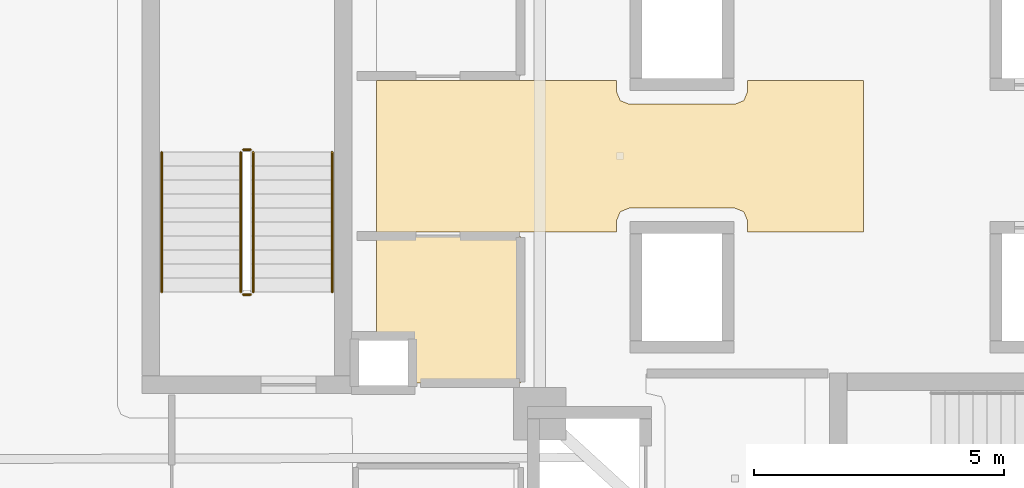
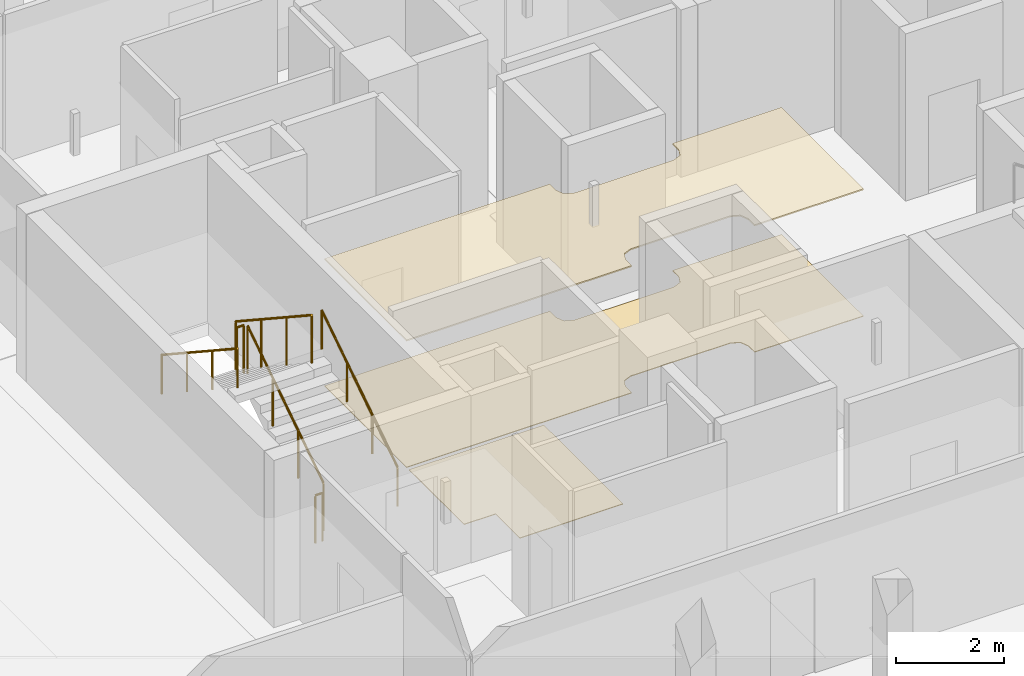
# One storey, part 35 of 42: 6 railings, 3 coverings.
"""IFC4 building model written with IfcOpenShell, lengths in metres."""

from ifc_helpers import new_model, si_unit, direction, frame, origin, origin_2d, place, context, subcontext, project, spatial, polyline, circle, outline, extrude, material, layer, layer_set, type_object, element, save


model = new_model("IFC4")

# Units and contexts
model_context = context("Model", 3, precision=1e-05, world=origin(), true_north=direction((0.0, 1.0)))
body_context = subcontext(model_context, "Body", "Model", "MODEL_VIEW")
ifc_project = project(units=[si_unit("LENGTHUNIT", "METRE"), si_unit("AREAUNIT", "SQUARE_METRE"), si_unit("VOLUMEUNIT", "CUBIC_METRE"), si_unit("PLANEANGLEUNIT", "RADIAN"), si_unit("MASSUNIT", "GRAM", prefix="KILO")], contexts=[model_context])

# Site, building, storey
site_placement = place(None, origin())
site = spatial("IfcSite", under=ifc_project, at=site_placement, CompositionType="ELEMENT")
building_placement = place(site_placement, origin())
building = spatial("IfcBuilding", under=site, at=building_placement, Name="Qorvath Tower", CompositionType="ELEMENT")
storey_placement = place(building_placement, frame((0.0, 0.0, 121.949951171875)))
storey = spatial("IfcBuildingStorey", under=building, at=storey_placement, Name="L27", CompositionType="ELEMENT", Elevation=121.949951171875)

# Coverings
ifc_material_1 = material(Name="Acoustic mineral fibre ceiling tile", Category="gypsum")
ifc_layer_1 = layer(ifc_material_1, 0.030029296875)
ifc_layer_set_1 = layer_set([ifc_layer_1], Name="COV-CEIL")
covering_type_1 = type_object("IfcCoveringType", Name="COV-CEIL", PredefinedType="CEILING", material=ifc_layer_set_1)
covering_1_placement = place(storey_placement, frame((0.0, 0.0, 2.85009765625)))
element("IfcCovering", 1, at=covering_1_placement, inside=storey, type_object=covering_type_1, Name="L27 Suspended Acoustic Ceiling 010", PredefinedType="CEILING", context=body_context, shape_type="SweptSolid", body=[
    extrude(outline(polyline([(-24.02001953125, -1.514892578125), (-24.02001953125, 1.514892578125), (-26.340087890625, 1.514892578125), (-26.340087890625, 1.2900390625), (-26.413330078125, 1.11328125), (-26.590087890625, 1.0400390625), (-28.7099609375, 1.0400390625), (-28.88671875, 1.11328125), (-28.9599609375, 1.2900390625), (-28.9599609375, 1.514892578125), (-33.760009765625, 1.514892578125), (-33.760009765625, -1.514892578125), (-28.9599609375, -1.514892578125), (-28.9599609375, -1.2900390625), (-28.88671875, -1.11328125), (-28.7099609375, -1.0400390625), (-26.590087890625, -1.0400390625), (-26.413330078125, -1.11328125), (-26.340087890625, -1.2900390625), (-26.340087890625, -1.514892578125), (-24.02001953125, -1.514892578125)])), origin(), (0.0, 0.0, 1.0), 0.030029296875),
])
ifc_material_2 = material(Name="Low-VOC modular carpet tile", Category="textile")
ifc_layer_2 = layer(ifc_material_2, 0.014892578125)
ifc_layer_set_2 = layer_set([ifc_layer_2], Name="COV-FLOOR-CPT")
covering_type_2 = type_object("IfcCoveringType", Name="COV-FLOOR-CPT", PredefinedType="FLOORING", material=ifc_layer_set_2)
covering_2_placement = place(storey_placement, origin())
element("IfcCovering", 2, at=covering_2_placement, inside=storey, type_object=covering_type_2, Name="L27 Floor Finish 007", PredefinedType="FLOORING", context=body_context, shape_type="SweptSolid", body=[
    extrude(outline(polyline([(-30.885009765625, -4.534912109375), (-30.885009765625, -1.60498046875), (-33.760009765625, -1.60498046875), (-33.760009765625, -3.636962890625), (-33.08837890625, -3.638427734375), (-33.0869140625, -4.534912109375), (-30.885009765625, -4.534912109375)])), origin(), (0.0, 0.0, 1.0), 0.01513671875),
])
ifc_material_3 = material(Name="Polished epoxy terrazzo flooring", Category="concrete")
ifc_layer_3 = layer(ifc_material_3, 0.02001953125)
ifc_layer_set_3 = layer_set([ifc_layer_3], Name="COV-FLOOR-TRZ")
covering_type_3 = type_object("IfcCoveringType", Name="COV-FLOOR-TRZ", PredefinedType="FLOORING", material=ifc_layer_set_3)
covering_3_placement = place(storey_placement, origin())
element("IfcCovering", 3, at=covering_3_placement, inside=storey, type_object=covering_type_3, Name="L27 Floor Finish 010", PredefinedType="FLOORING", context=body_context, shape_type="SweptSolid", body=[
    extrude(outline(polyline([(-24.02001953125, -1.514892578125), (-24.02001953125, 1.514892578125), (-26.340087890625, 1.514892578125), (-26.340087890625, 1.2900390625), (-26.413330078125, 1.11328125), (-26.590087890625, 1.0400390625), (-28.7099609375, 1.0400390625), (-28.88671875, 1.11328125), (-28.9599609375, 1.2900390625), (-28.9599609375, 1.514892578125), (-33.760009765625, 1.514892578125), (-33.760009765625, -1.514892578125), (-28.9599609375, -1.514892578125), (-28.9599609375, -1.2900390625), (-28.88671875, -1.11328125), (-28.7099609375, -1.0400390625), (-26.590087890625, -1.0400390625), (-26.413330078125, -1.11328125), (-26.340087890625, -1.2900390625), (-26.340087890625, -1.514892578125), (-24.02001953125, -1.514892578125)])), origin(), (0.0, 0.0, 1.0), 0.01513671875),
])

# Railings
ifc_material_4 = material(Name="Painted galvanised steel", Category="steel")
railing_type_1 = type_object("IfcRailingType", Name="RL-STR-GRD", PredefinedType="GUARDRAIL", material=ifc_material_4)
railing_1_placement = place(storey_placement, frame((-36.22998046875, -2.719970703125, 0.18408203125)))
element("IfcRailing", 4, at=railing_1_placement, inside=storey, type_object=railing_type_1, Name="L27 TS3 stair guard 1", PredefinedType="GUARDRAIL", context=body_context, shape_type="SweptSolid", body=[
    extrude(circle(Radius=0.02392578125, at=origin_2d()), frame((0.0, 0.0, 1.076171875), z_axis=(0.0, 0.83556406348, 0.549393024911), x_axis=(-1.0, 0.0, 0.0)), (0.0, 0.0, 1.0), 3.35107421875),
    extrude(circle(Radius=0.02099609375, at=origin_2d()), origin(), (0.0, 0.0, 1.0), 1.052001953125),
    extrude(circle(Radius=0.02099609375, at=origin_2d()), frame((0.0, 0.933349609375, 0.61376953125)), (0.0, 0.0, 1.0), 1.052001953125),
    extrude(circle(Radius=0.02099609375, at=origin_2d()), frame((0.0, 1.86669921875, 1.227294921875)), (0.0, 0.0, 1.0), 1.052001953125),
    extrude(circle(Radius=0.02099609375, at=origin_2d()), frame((0.0, 2.800048828125, 1.841064453125)), (0.0, 0.0, 1.0), 1.052001953125),
])
railing_2_placement = place(storey_placement, frame((-36.280029296875, 0.1298828125, 2.025146484375)))
element("IfcRailing", 5, at=railing_2_placement, inside=storey, type_object=railing_type_1, Name="L27 TS3 stair guard 2", PredefinedType="GUARDRAIL", context=body_context, shape_type="SweptSolid", body=[
    extrude(circle(Radius=0.02392578125, at=origin_2d()), frame((0.0, 0.0, 1.076171875), z_axis=(-1.0, 0.0, 0.0), x_axis=(0.0, -1.0, 0.0)), (0.0, 0.0, 1.0), 0.14990234375),
    extrude(circle(Radius=0.02099609375, at=origin_2d()), origin(), (0.0, 0.0, 1.0), 1.052001953125),
    extrude(circle(Radius=0.02099609375, at=origin_2d()), frame((-0.14990234375, 0.0, 0.0)), (0.0, 0.0, 1.0), 1.052001953125),
])
railing_3_placement = place(storey_placement, frame((-36.47998046875, 0.080078125, 2.209228515625)))
element("IfcRailing", 6, at=railing_3_placement, inside=storey, type_object=railing_type_1, Name="L27 TS3 stair guard 3", PredefinedType="GUARDRAIL", context=body_context, shape_type="SweptSolid", body=[
    extrude(circle(Radius=0.02392578125, at=origin_2d()), frame((0.0, 0.0, 1.076171875), z_axis=(0.0, -0.835597507184, 0.549342157483), x_axis=(1.0, 0.0, 0.0)), (0.0, 0.0, 1.0), 3.35107421875),
    extrude(circle(Radius=0.02099609375, at=origin_2d()), origin(), (0.0, 0.0, 1.0), 1.052001953125),
    extrude(circle(Radius=0.02099609375, at=origin_2d()), frame((0.0, -0.933349609375, 0.613525390625)), (0.0, 0.0, 1.0), 1.052001953125),
    extrude(circle(Radius=0.02099609375, at=origin_2d()), frame((0.0, -1.86669921875, 1.227294921875)), (0.0, 0.0, 1.0), 1.052001953125),
    extrude(circle(Radius=0.02099609375, at=origin_2d()), frame((0.0, -2.800048828125, 1.8408203125)), (0.0, 0.0, 1.0), 1.052001953125),
])
railing_4_placement = place(storey_placement, frame((-36.280029296875, -2.77001953125, 0.0)))
element("IfcRailing", 7, at=railing_4_placement, inside=storey, type_object=railing_type_1, Name="L27 TS3 stair guard 4", PredefinedType="GUARDRAIL", context=body_context, shape_type="SweptSolid", body=[
    extrude(circle(Radius=0.02392578125, at=origin_2d()), frame((0.0, 0.0, 1.076171875), z_axis=(-1.0, 0.0, 0.0), x_axis=(0.0, -1.0, 0.0)), (0.0, 0.0, 1.0), 0.14990234375),
    extrude(circle(Radius=0.02099609375, at=origin_2d()), origin(), (0.0, 0.0, 1.0), 1.052001953125),
    extrude(circle(Radius=0.02099609375, at=origin_2d()), frame((-0.14990234375, 0.0, 0.0)), (0.0, 0.0, 1.0), 1.052001953125),
])
ifc_material_5 = material(Name="Brushed stainless steel AISI 304", Category="steel")
railing_type_2 = type_object("IfcRailingType", Name="RL-STR-HND", PredefinedType="HANDRAIL", material=ifc_material_5)
railing_5_placement = place(storey_placement, frame((-34.64990234375, -2.719970703125, 0.18408203125)))
element("IfcRailing", 8, at=railing_5_placement, inside=storey, type_object=railing_type_2, Name="L27 TS3 stair handrail 1", PredefinedType="HANDRAIL", context=body_context, shape_type="SweptSolid", body=[
    extrude(circle(Radius=0.02392578125, at=origin_2d()), frame((0.0, 0.0, 0.8759765625), z_axis=(0.0, 0.83556406348, 0.549393024911), x_axis=(-1.0, 0.0, 0.0)), (0.0, 0.0, 1.0), 3.35107421875),
    extrude(circle(Radius=0.02099609375, at=origin_2d()), origin(), (0.0, 0.0, 1.0), 0.851806640625),
    extrude(circle(Radius=0.02099609375, at=origin_2d()), frame((0.0, 0.933349609375, 0.61376953125)), (0.0, 0.0, 1.0), 0.851806640625),
    extrude(circle(Radius=0.02099609375, at=origin_2d()), frame((0.0, 1.86669921875, 1.227294921875)), (0.0, 0.0, 1.0), 0.851806640625),
    extrude(circle(Radius=0.02099609375, at=origin_2d()), frame((0.0, 2.800048828125, 1.841064453125)), (0.0, 0.0, 1.0), 0.851806640625),
])
railing_6_placement = place(storey_placement, frame((-38.06005859375, 0.080078125, 2.209228515625)))
element("IfcRailing", 9, at=railing_6_placement, inside=storey, type_object=railing_type_2, Name="L27 TS3 stair handrail 2", PredefinedType="HANDRAIL", context=body_context, shape_type="SweptSolid", body=[
    extrude(circle(Radius=0.02392578125, at=origin_2d()), frame((0.0, 0.0, 0.8759765625), z_axis=(0.0, -0.835597507184, 0.549342157483), x_axis=(1.0, 0.0, 0.0)), (0.0, 0.0, 1.0), 3.35107421875),
    extrude(circle(Radius=0.02099609375, at=origin_2d()), origin(), (0.0, 0.0, 1.0), 0.851806640625),
    extrude(circle(Radius=0.02099609375, at=origin_2d()), frame((0.0, -0.933349609375, 0.613525390625)), (0.0, 0.0, 1.0), 0.851806640625),
    extrude(circle(Radius=0.02099609375, at=origin_2d()), frame((0.0, -1.86669921875, 1.227294921875)), (0.0, 0.0, 1.0), 0.851806640625),
    extrude(circle(Radius=0.02099609375, at=origin_2d()), frame((0.0, -2.800048828125, 1.8408203125)), (0.0, 0.0, 1.0), 0.851806640625),
])

save(model, "model.ifc")
